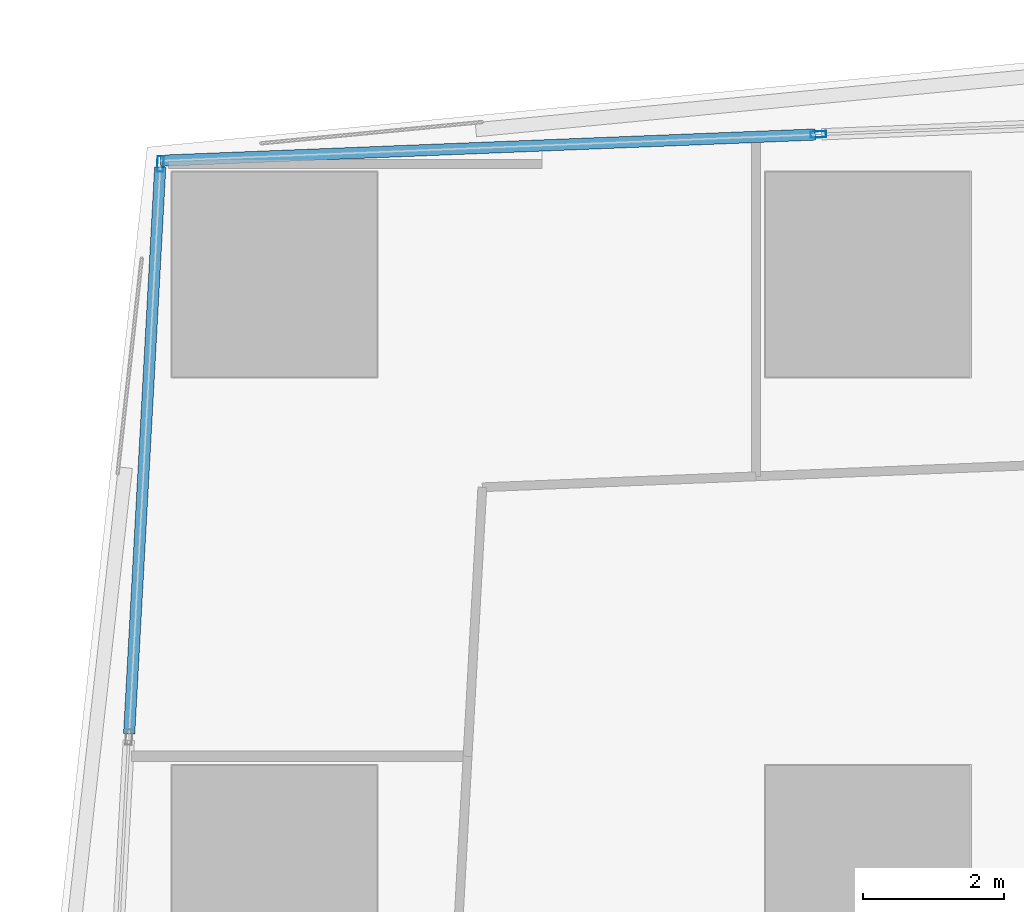
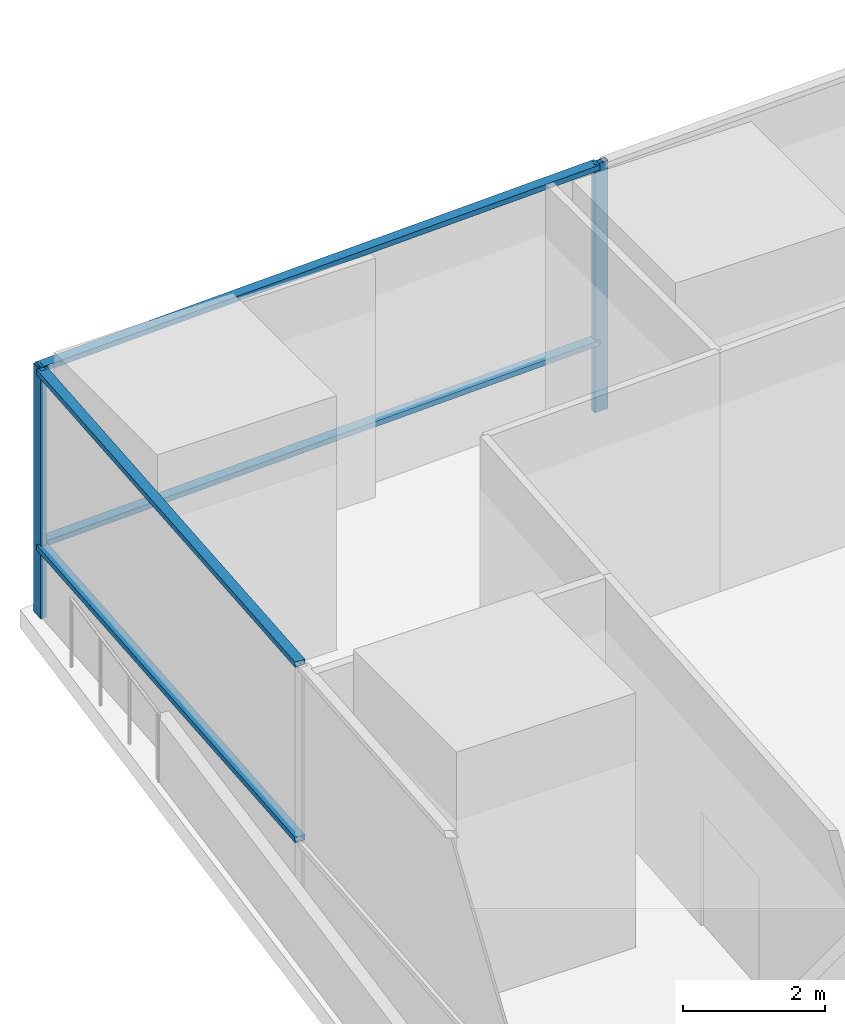
# One storey, part 9 of 44: 6 members, 2 elements without a shape of their own.
"""IFC4 building model written with IfcOpenShell, lengths in metres."""

from ifc_helpers import new_model, si_unit, direction, frame, origin, origin_2d, place, context, subcontext, project, spatial, hollow_rectangle, extrude, material, material_profile, profile_set, type_object, element, aggregate, save


model = new_model("IFC4")

# Units and contexts
model_context = context("Model", 3, precision=1e-05, world=origin(), true_north=direction((0.0, 1.0)))
body_context = subcontext(model_context, "Body", "Model", "MODEL_VIEW")
ifc_project = project(units=[si_unit("LENGTHUNIT", "METRE"), si_unit("AREAUNIT", "SQUARE_METRE"), si_unit("VOLUMEUNIT", "CUBIC_METRE"), si_unit("PLANEANGLEUNIT", "RADIAN"), si_unit("MASSUNIT", "GRAM", prefix="KILO")], contexts=[model_context])

# Site, building, storey
site_placement = place(None, origin())
site = spatial("IfcSite", under=ifc_project, at=site_placement, CompositionType="ELEMENT")
building_placement = place(site_placement, origin())
building = spatial("IfcBuilding", under=site, at=building_placement, Name="Rekha Terrace Tower", CompositionType="ELEMENT")
storey_placement = place(building_placement, frame((0.0, 0.0, 90.800048828125)))
storey = spatial("IfcBuildingStorey", under=building, at=storey_placement, Name="L22", CompositionType="ELEMENT", Elevation=90.800048828125)

# Curtain wall, member
ifc_material_1 = material(Name="Aluminium framing", Category="aluminium")
curtain_wall_type = type_object("IfcCurtainWallType", Name="CW5 sky garden glazing", PredefinedType="USERDEFINED", material=ifc_material_1)
curtain_wall_1_placement = place(storey_placement, origin())
curtain_wall_1 = element("IfcCurtainWall", 1, at=curtain_wall_1_placement, inside=storey, type_object=curtain_wall_type, Name="CW5 sky garden curtain wall", ObjectType="SKY GARDEN CURTAIN WALL", PredefinedType="USERDEFINED")
ifc_material_2 = material(Name="Aluminium mullion section", Category="aluminium")
ifc_material_profile_1 = material_profile(ifc_material_2, hollow_rectangle(XDim=0.090087890625, YDim=0.219970703125, WallThickness=0.00390625, at=origin_2d()), Name="AL RHS 90x220")
ifc_profile_set_1 = profile_set([ifc_material_profile_1], Name="Aluminium mullion section")
member_type_1 = type_object("IfcMemberType", Name="CW5 mullion RHS 90 x 220", PredefinedType="MULLION", material=ifc_profile_set_1)
member_1_placement = place(storey_placement, frame((16.101806640625, 60.780517578125, 0.0), z_axis=(0.0, 0.0, 1.0), x_axis=(0.040031987119, -0.999198398721, 0.0)))
member_1 = element("IfcMember", 2, at=member_1_placement, type_object=member_type_1, Name="CW5 mullion 4", PredefinedType="MULLION", context=body_context, shape_type="SweptSolid", body=[
    extrude(hollow_rectangle(XDim=0.090087890625, YDim=0.219970703125, WallThickness=0.00390625, at=origin_2d()), origin(), (0.0, 0.0, 1.0), 4.25),
])

curtain_wall_2_placement = place(storey_placement, origin())
curtain_wall_2 = element("IfcCurtainWall", 3, at=curtain_wall_2_placement, inside=storey, type_object=curtain_wall_type, Name="CW5 sky garden curtain wall", ObjectType="SKY GARDEN CURTAIN WALL", PredefinedType="USERDEFINED")
member_2_placement = place(storey_placement, frame((6.787353515625, 60.362548828125, 0.0), z_axis=(0.0, 0.0, 1.0), x_axis=(0.998500513179, -0.054742352725, 0.0)))
member_2 = element("IfcMember", 4, at=member_2_placement, type_object=member_type_1, Name="CW5 mullion 1", PredefinedType="MULLION", context=body_context, shape_type="SweptSolid", body=[
    extrude(hollow_rectangle(XDim=0.090087890625, YDim=0.219970703125, WallThickness=0.00390625, at=origin_2d()), origin(), (0.0, 0.0, 1.0), 4.25),
])

# Member
ifc_material_3 = material(Name="Aluminium transom section", Category="aluminium")
ifc_material_profile_2 = material_profile(ifc_material_3, hollow_rectangle(XDim=0.159912109375, YDim=0.090087890625, WallThickness=0.0029296875, at=origin_2d()), Name="AL RHS 160x90")
ifc_profile_set_2 = profile_set([ifc_material_profile_2], Name="Aluminium transom section")
member_type_2 = type_object("IfcMemberType", Name="CW5 transom RHS 90 x 160", PredefinedType="USERDEFINED", material=ifc_profile_set_2)
member_3_placement = place(storey_placement, frame((16.056884765625, 60.77880859375, 1.199951171875), z_axis=(-0.999198138838, -0.040038473291, 0.0), x_axis=(0.040038473291, -0.999198138838, 0.0)))
member_3 = element("IfcMember", 5, at=member_3_placement, type_object=member_type_2, Name="CW5 transom 4.2", ObjectType="TRANSOM", PredefinedType="USERDEFINED", context=body_context, shape_type="SweptSolid", body=[
    extrude(hollow_rectangle(XDim=0.159912109375, YDim=0.090087890625, WallThickness=0.0029296875, at=origin_2d()), origin(), (0.0, 0.0, 1.0), 9.2744140625),
])

member_4_placement = place(storey_placement, frame((16.056884765625, 60.77880859375, 4.204833984375), z_axis=(-0.999198138838, -0.040038473291, 0.0), x_axis=(0.040038473291, -0.999198138838, 0.0)))
member_4 = element("IfcMember", 6, at=member_4_placement, type_object=member_type_2, Name="CW5 transom 4.3", ObjectType="TRANSOM", PredefinedType="USERDEFINED", context=body_context, shape_type="SweptSolid", body=[
    extrude(hollow_rectangle(XDim=0.159912109375, YDim=0.090087890625, WallThickness=0.0029296875, at=origin_2d()), origin(), (0.0, 0.0, 1.0), 9.2744140625),
])

aggregate(curtain_wall_1, [member_1, member_3, member_4])

member_5_placement = place(storey_placement, frame((6.784912109375, 60.317626953125, 1.199951171875), z_axis=(-0.054753114887, -0.99849992309, 0.0), x_axis=(0.99849992309, -0.054753114887, 0.0)))
member_5 = element("IfcMember", 7, at=member_5_placement, type_object=member_type_2, Name="CW5 transom 1.2", ObjectType="TRANSOM", PredefinedType="USERDEFINED", context=body_context, shape_type="SweptSolid", body=[
    extrude(hollow_rectangle(XDim=0.159912109375, YDim=0.090087890625, WallThickness=0.0029296875, at=origin_2d()), origin(), (0.0, 0.0, 1.0), 8.034912109375),
])

member_6_placement = place(storey_placement, frame((6.784912109375, 60.317626953125, 4.204833984375), z_axis=(-0.054753114887, -0.99849992309, 0.0), x_axis=(0.99849992309, -0.054753114887, 0.0)))
member_6 = element("IfcMember", 8, at=member_6_placement, type_object=member_type_2, Name="CW5 transom 1.3", ObjectType="TRANSOM", PredefinedType="USERDEFINED", context=body_context, shape_type="SweptSolid", body=[
    extrude(hollow_rectangle(XDim=0.159912109375, YDim=0.090087890625, WallThickness=0.0029296875, at=origin_2d()), origin(), (0.0, 0.0, 1.0), 8.034912109375),
])

aggregate(curtain_wall_2, [member_2, member_5, member_6])

save(model, "model.ifc")
